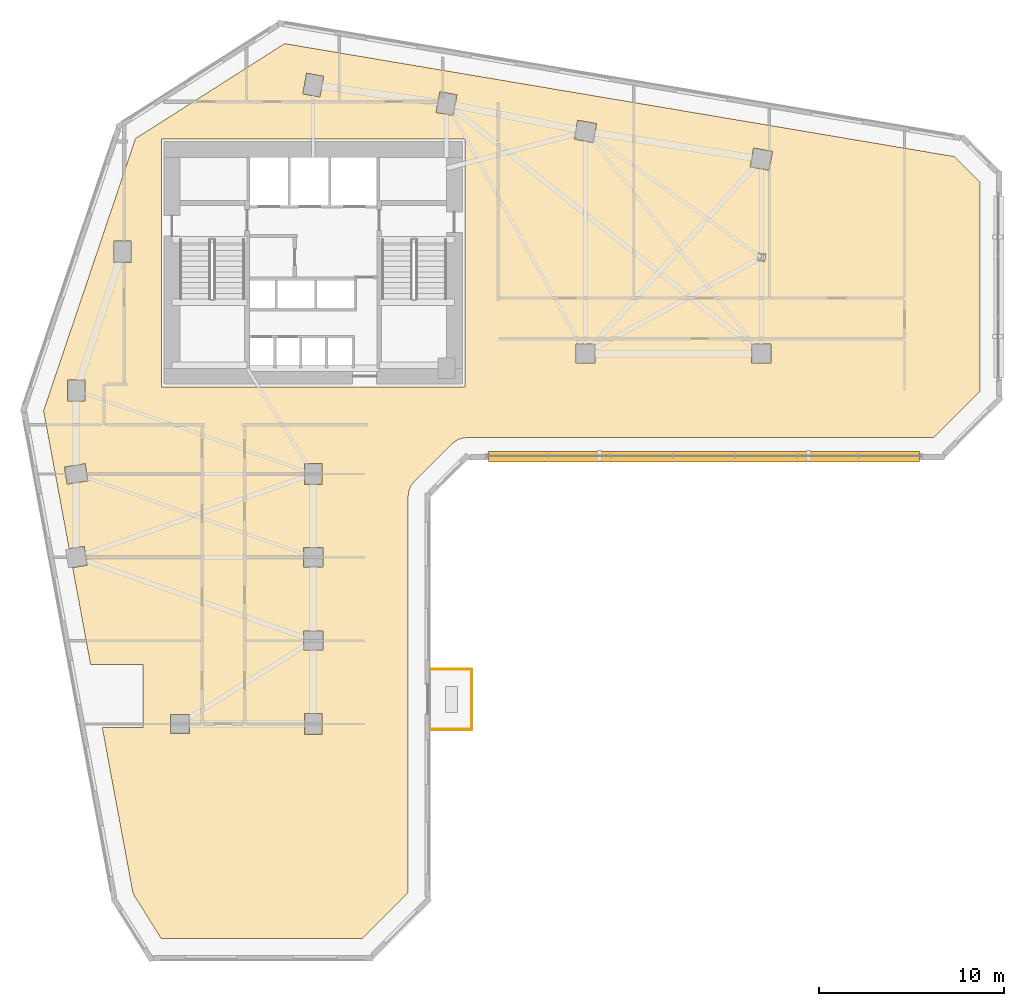
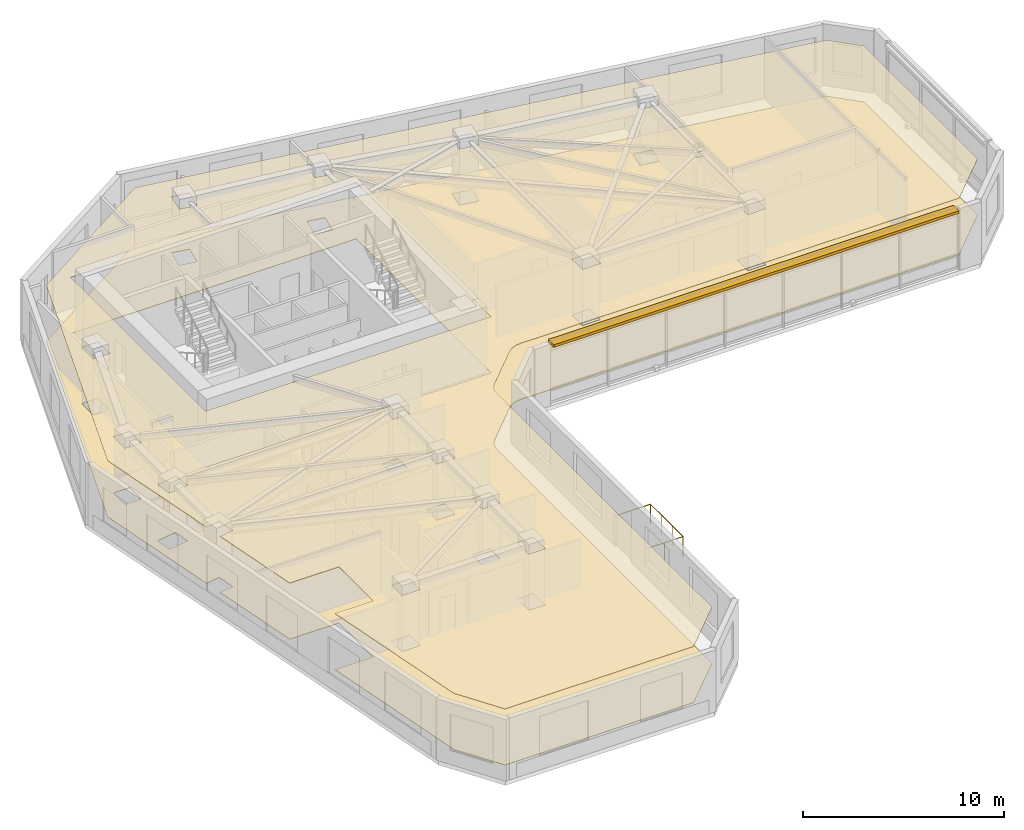
# One storey, part 10 of 12: 3 railings, 2 coverings, 1 shading device.
"""IFC4 building model written with IfcOpenShell, lengths in metres."""

from ifc_helpers import new_model, si_unit, direction, frame, frame_2d, origin, origin_2d, place, context, subcontext, project, spatial, polyline, rectangle, circle, outline, extrude, material, layer, layer_set, type_object, element, save


model = new_model("IFC4")

# Units and contexts
model_context = context("Model", 3, precision=1e-05, world=origin(), true_north=direction((0.0, 1.0)))
body_context = subcontext(model_context, "Body", "Model", "MODEL_VIEW")
ifc_project = project(units=[si_unit("LENGTHUNIT", "METRE"), si_unit("AREAUNIT", "SQUARE_METRE"), si_unit("VOLUMEUNIT", "CUBIC_METRE"), si_unit("PLANEANGLEUNIT", "RADIAN"), si_unit("MASSUNIT", "GRAM", prefix="KILO")], contexts=[model_context])

# Site, building, storey
site_placement = place(None, origin())
site = spatial("IfcSite", under=ifc_project, at=site_placement, CompositionType="ELEMENT")
building_placement = place(site_placement, origin())
building = spatial("IfcBuilding", under=site, at=building_placement, Name="Calvemar Wedge Station Tower", CompositionType="ELEMENT")
storey_placement = place(building_placement, frame((0.0, 0.0, 51.0)))
storey = spatial("IfcBuildingStorey", under=building, at=storey_placement, Name="L12", CompositionType="ELEMENT", Elevation=51.0)

# Coverings
ifc_material_1 = material(Name="Moisture-resistant gypsum ceiling")
ifc_layer_1 = layer(ifc_material_1, 0.0400390625)
ifc_layer_set_1 = layer_set([ifc_layer_1], Name="Moisture-resistant gypsum ceiling")
covering_type_1 = type_object("IfcCoveringType", Name="COV-CEIL-GYPSUM", PredefinedType="CEILING", material=ifc_layer_set_1)
covering_1_placement = place(storey_placement, frame((0.0, 0.0, 3.39990234375)))
element("IfcCovering", 1, at=covering_1_placement, inside=storey, type_object=covering_type_1, Name="Storey L12 Acoustic Suspended Ceiling", PredefinedType="CEILING", context=body_context, shape_type="SweptSolid", body=[
    extrude(outline(polyline([(29.279541015625, 28.1083984375), (31.279541015625, 30.1083984375), (31.36669921875, 30.1875), (31.461181640625, 30.2578125), (31.562255859375, 30.318359375), (31.668701171875, 30.36865234375), (31.77978515625, 30.408203125), (31.893798828125, 30.43701171875), (32.010498046875, 30.4541015625), (32.1279296875, 30.4599609375), (57.302978515625, 30.4599609375), (59.800048828125, 32.95703125), (59.800048828125, 44.262939453125), (58.422607421875, 45.640380859375), (22.255126953125, 51.739990234375), (14.201416015625, 46.614990234375), (9.23681640625, 31.911865234375), (10.6162109375, 24.465087890625), (11.43115234375, 24.595703125), (11.595703125, 23.56884765625), (10.805908203125, 23.4423828125), (11.777099609375, 18.199951171875), (14.60009765625, 18.199951171875), (14.60009765625, 14.800048828125), (12.406982421875, 14.800048828125), (14.06640625, 5.8427734375), (15.593017578125, 3.39990234375), (26.430908203125, 3.39990234375), (28.927978515625, 5.897216796875), (28.927978515625, 27.260009765625), (28.933837890625, 27.377685546875), (28.951171875, 27.494140625), (28.979736328125, 27.6083984375), (29.019287109375, 27.71923828125), (29.069580078125, 27.82568359375), (29.130126953125, 27.9267578125), (29.200439453125, 28.021240234375), (29.279541015625, 28.1083984375)]), holes=[polyline([(15.60009765625, 46.60009765625), (32.0, 46.60009765625), (32.0, 33.199951171875), (15.60009765625, 33.199951171875), (15.60009765625, 46.60009765625)]), polyline([(10.530029296875, 32.429931640625), (10.530029296875, 33.570068359375), (11.469970703125, 33.570068359375), (11.469970703125, 32.429931640625), (10.530029296875, 32.429931640625)]), polyline([(13.030029296875, 41.070068359375), (13.969970703125, 41.070068359375), (13.969970703125, 39.929931640625), (13.030029296875, 39.929931640625), (13.030029296875, 41.070068359375)]), polyline([(24.363525390625, 49.977783203125), (24.16162109375, 48.855712890625), (23.236572265625, 49.022216796875), (23.4384765625, 50.144287109375), (24.363525390625, 49.977783203125)]), polyline([(31.361572265625, 47.855712890625), (30.4365234375, 48.022216796875), (30.638427734375, 49.144287109375), (31.5634765625, 48.977783203125), (31.361572265625, 47.855712890625)]), polyline([(37.89599609375, 46.580322265625), (38.080322265625, 47.60400390625), (39.10400390625, 47.419677734375), (38.919677734375, 46.39599609375), (37.89599609375, 46.580322265625)]), polyline([(47.580322265625, 46.10400390625), (48.60400390625, 45.919677734375), (48.419677734375, 44.89599609375), (47.39599609375, 45.080322265625), (47.580322265625, 46.10400390625)]), polyline([(39.02001953125, 35.52001953125), (39.02001953125, 34.47998046875), (37.97998046875, 34.47998046875), (37.97998046875, 35.52001953125), (39.02001953125, 35.52001953125)]), polyline([(48.52001953125, 34.47998046875), (47.47998046875, 34.47998046875), (47.47998046875, 35.52001953125), (48.52001953125, 35.52001953125), (48.52001953125, 34.47998046875)]), polyline([(47.759765625, 40.033935546875), (47.832763671875, 40.439453125), (48.240234375, 40.3662109375), (48.167236328125, 39.960693359375), (47.759765625, 40.033935546875)]), polyline([(11.488525390625, 29.05419921875), (11.63720703125, 28.126220703125), (10.511474609375, 27.94580078125), (10.36279296875, 28.873779296875), (11.488525390625, 29.05419921875)]), polyline([(24.27001953125, 27.929931640625), (23.330078125, 27.929931640625), (23.330078125, 29.070068359375), (24.27001953125, 29.070068359375), (24.27001953125, 27.929931640625)]), polyline([(23.280029296875, 23.47998046875), (23.280029296875, 24.52001953125), (24.320068359375, 24.52001953125), (24.320068359375, 23.47998046875), (23.280029296875, 23.47998046875)]), polyline([(23.280029296875, 20.02001953125), (24.320068359375, 20.02001953125), (24.320068359375, 18.97998046875), (23.280029296875, 18.97998046875), (23.280029296875, 20.02001953125)]), polyline([(24.27001953125, 15.570068359375), (24.27001953125, 14.429931640625), (23.330078125, 14.429931640625), (23.330078125, 15.570068359375), (24.27001953125, 15.570068359375)]), polyline([(17.1201171875, 14.47998046875), (16.080078125, 14.47998046875), (16.080078125, 15.52001953125), (17.1201171875, 15.52001953125), (17.1201171875, 14.47998046875)])]), origin(), (0.0, 0.0, 1.0), 0.0400390625),
])
ifc_material_2 = material(Name="Commercial raised access floor")
ifc_layer_2 = layer(ifc_material_2, 0.030029296875)
ifc_layer_set_2 = layer_set([ifc_layer_2], Name="Commercial raised access floor")
covering_type_2 = type_object("IfcCoveringType", Name="COV-FLR-RAISED", PredefinedType="FLOORING", material=ifc_layer_set_2)
covering_2_placement = place(storey_placement, origin())
element("IfcCovering", 2, at=covering_2_placement, inside=storey, type_object=covering_type_2, Name="Storey L12 Architectural Floor Finish", PredefinedType="FLOORING", context=body_context, shape_type="SweptSolid", body=[
    extrude(outline(polyline([(29.279541015625, 28.1083984375), (31.279541015625, 30.1083984375), (31.36669921875, 30.1875), (31.461181640625, 30.2578125), (31.562255859375, 30.318359375), (31.668701171875, 30.36865234375), (31.77978515625, 30.408203125), (31.893798828125, 30.43701171875), (32.010498046875, 30.4541015625), (32.1279296875, 30.4599609375), (57.302978515625, 30.4599609375), (59.800048828125, 32.95703125), (59.800048828125, 44.262939453125), (58.422607421875, 45.640380859375), (22.255126953125, 51.739990234375), (14.201416015625, 46.614990234375), (9.23681640625, 31.911865234375), (10.6162109375, 24.465087890625), (11.43115234375, 24.595703125), (11.595703125, 23.56884765625), (10.805908203125, 23.4423828125), (11.777099609375, 18.199951171875), (14.60009765625, 18.199951171875), (14.60009765625, 14.800048828125), (12.406982421875, 14.800048828125), (14.06640625, 5.8427734375), (15.593017578125, 3.39990234375), (26.430908203125, 3.39990234375), (28.927978515625, 5.897216796875), (28.927978515625, 27.260009765625), (28.933837890625, 27.377685546875), (28.951171875, 27.494140625), (28.979736328125, 27.6083984375), (29.019287109375, 27.71923828125), (29.069580078125, 27.82568359375), (29.130126953125, 27.9267578125), (29.200439453125, 28.021240234375), (29.279541015625, 28.1083984375)]), holes=[polyline([(15.60009765625, 46.60009765625), (32.0, 46.60009765625), (32.0, 33.199951171875), (15.60009765625, 33.199951171875), (15.60009765625, 46.60009765625)]), polyline([(10.530029296875, 32.429931640625), (10.530029296875, 33.570068359375), (11.469970703125, 33.570068359375), (11.469970703125, 32.429931640625), (10.530029296875, 32.429931640625)]), polyline([(13.030029296875, 41.070068359375), (13.969970703125, 41.070068359375), (13.969970703125, 39.929931640625), (13.030029296875, 39.929931640625), (13.030029296875, 41.070068359375)]), polyline([(24.363525390625, 49.977783203125), (24.16162109375, 48.855712890625), (23.236572265625, 49.022216796875), (23.4384765625, 50.144287109375), (24.363525390625, 49.977783203125)]), polyline([(31.361572265625, 47.855712890625), (30.4365234375, 48.022216796875), (30.638427734375, 49.144287109375), (31.5634765625, 48.977783203125), (31.361572265625, 47.855712890625)]), polyline([(37.89599609375, 46.580322265625), (38.080322265625, 47.60400390625), (39.10400390625, 47.419677734375), (38.919677734375, 46.39599609375), (37.89599609375, 46.580322265625)]), polyline([(47.580322265625, 46.10400390625), (48.60400390625, 45.919677734375), (48.419677734375, 44.89599609375), (47.39599609375, 45.080322265625), (47.580322265625, 46.10400390625)]), polyline([(39.02001953125, 35.52001953125), (39.02001953125, 34.47998046875), (37.97998046875, 34.47998046875), (37.97998046875, 35.52001953125), (39.02001953125, 35.52001953125)]), polyline([(48.52001953125, 34.47998046875), (47.47998046875, 34.47998046875), (47.47998046875, 35.52001953125), (48.52001953125, 35.52001953125), (48.52001953125, 34.47998046875)]), polyline([(47.759765625, 40.033935546875), (47.832763671875, 40.439453125), (48.240234375, 40.3662109375), (48.167236328125, 39.960693359375), (47.759765625, 40.033935546875)]), polyline([(11.488525390625, 29.05419921875), (11.63720703125, 28.126220703125), (10.511474609375, 27.94580078125), (10.36279296875, 28.873779296875), (11.488525390625, 29.05419921875)]), polyline([(24.27001953125, 27.929931640625), (23.330078125, 27.929931640625), (23.330078125, 29.070068359375), (24.27001953125, 29.070068359375), (24.27001953125, 27.929931640625)]), polyline([(23.280029296875, 23.47998046875), (23.280029296875, 24.52001953125), (24.320068359375, 24.52001953125), (24.320068359375, 23.47998046875), (23.280029296875, 23.47998046875)]), polyline([(23.280029296875, 20.02001953125), (24.320068359375, 20.02001953125), (24.320068359375, 18.97998046875), (23.280029296875, 18.97998046875), (23.280029296875, 20.02001953125)]), polyline([(24.27001953125, 15.570068359375), (24.27001953125, 14.429931640625), (23.330078125, 14.429931640625), (23.330078125, 15.570068359375), (24.27001953125, 15.570068359375)]), polyline([(17.1201171875, 14.47998046875), (16.080078125, 14.47998046875), (16.080078125, 15.52001953125), (17.1201171875, 15.52001953125), (17.1201171875, 14.47998046875)])]), origin(), (0.0, 0.0, 1.0), 0.030029296875),
])

# Railings
ifc_material_3 = material(Name="Stainless steel AISI 316L", Category="steel")
railing_type = type_object("IfcRailingType", Name="GRD-TERR-1200", PredefinedType="GUARDRAIL", material=ifc_material_3)
railing_1_placement = place(storey_placement, frame((30.2080078125, 17.949951171875, 0.0)))
element("IfcRailing", 3, at=railing_1_placement, inside=storey, type_object=railing_type, Name="Storey L12 Spiral Terrace Guard 2", PredefinedType="GUARDRAIL", context=body_context, shape_type="SweptSolid", body=[
    extrude(circle(Radius=0.02392578125, at=origin_2d()), frame((0.0, 0.0, 1.17578125), z_axis=(1.0, 0.0, 0.0), x_axis=(0.0, 1.0, 0.0)), (0.0, 0.0, 1.0), 2.139892578125),
    extrude(circle(Radius=0.02099609375, at=origin_2d()), origin(), (0.0, 0.0, 1.0), 1.15185546875),
    extrude(circle(Radius=0.02099609375, at=origin_2d()), frame((1.06982421875, 0.0, 0.0)), (0.0, 0.0, 1.0), 1.15185546875),
    extrude(circle(Radius=0.02099609375, at=origin_2d()), frame((2.139892578125, 0.0, 0.0)), (0.0, 0.0, 1.0), 1.15185546875),
])
railing_2_placement = place(storey_placement, frame((32.347900390625, 17.949951171875, 0.0)))
element("IfcRailing", 4, at=railing_2_placement, inside=storey, type_object=railing_type, Name="Storey L12 Spiral Terrace Guard 3", PredefinedType="GUARDRAIL", context=body_context, shape_type="SweptSolid", body=[
    extrude(circle(Radius=0.02392578125, at=origin_2d()), frame((0.0, 0.0, 1.17578125), z_axis=(0.0, -1.0, 0.0), x_axis=(1.0, 0.0, 0.0)), (0.0, 0.0, 1.0), 3.239990234375),
    extrude(circle(Radius=0.02099609375, at=origin_2d()), origin(), (0.0, 0.0, 1.0), 1.15185546875),
    extrude(circle(Radius=0.02099609375, at=origin_2d()), frame((0.0, -1.080078125, 0.0)), (0.0, 0.0, 1.0), 1.15185546875),
    extrude(circle(Radius=0.02099609375, at=origin_2d()), frame((0.0, -2.159912109375, 0.0)), (0.0, 0.0, 1.0), 1.15185546875),
    extrude(circle(Radius=0.02099609375, at=origin_2d()), frame((0.0, -3.239990234375, 0.0)), (0.0, 0.0, 1.0), 1.15185546875),
])
railing_3_placement = place(storey_placement, frame((32.347900390625, 14.7099609375, 0.0)))
element("IfcRailing", 5, at=railing_3_placement, inside=storey, type_object=railing_type, Name="Storey L12 Spiral Terrace Guard 4", PredefinedType="GUARDRAIL", context=body_context, shape_type="SweptSolid", body=[
    extrude(circle(Radius=0.02392578125, at=origin_2d()), frame((0.0, 0.0, 1.17578125), z_axis=(-1.0, 0.0, 0.0), x_axis=(0.0, -1.0, 0.0)), (0.0, 0.0, 1.0), 2.139892578125),
    extrude(circle(Radius=0.02099609375, at=origin_2d()), origin(), (0.0, 0.0, 1.0), 1.15185546875),
    extrude(circle(Radius=0.02099609375, at=origin_2d()), frame((-1.06982421875, 0.0, 0.0)), (0.0, 0.0, 1.0), 1.15185546875),
    extrude(circle(Radius=0.02099609375, at=origin_2d()), frame((-2.139892578125, 0.0, 0.0)), (0.0, 0.0, 1.0), 1.15185546875),
])

# Shading device
ifc_material_4 = material(Name="Precast concrete C45", Category="concrete")
shading_device_type = type_object("IfcShadingDeviceType", Name="SHD-EYEBROW-1", PredefinedType="SHUTTER", material=ifc_material_4)
shading_device_placement = place(storey_placement, frame((33.265869140625, 29.429931640625, 3.570068359375), z_axis=(0.0, 0.0, 1.0), x_axis=(1.0, 0.0, 0.0)))
element("IfcShadingDevice", 6, at=shading_device_placement, inside=storey, type_object=shading_device_type, Name="Storey L12 Bronze GFRC Solar Eyebrow 6", PredefinedType="SHUTTER", context=body_context, shape_type="SweptSolid", body=[
    extrude(rectangle(XDim=23.27197265625, YDim=0.550048828125, at=frame_2d((11.635986328125, 0.0))), origin(), (0.0, 0.0, 1.0), 0.159912109375),
])

save(model, "model.ifc")
